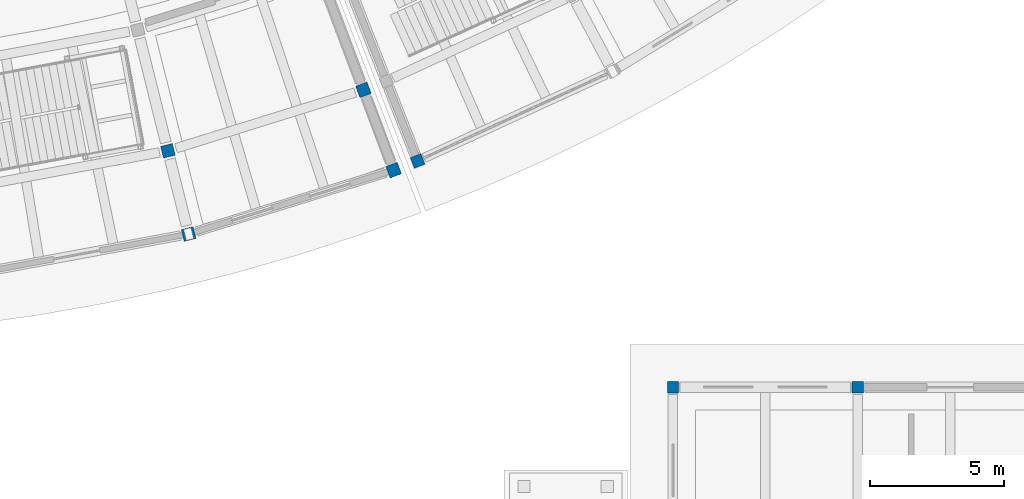
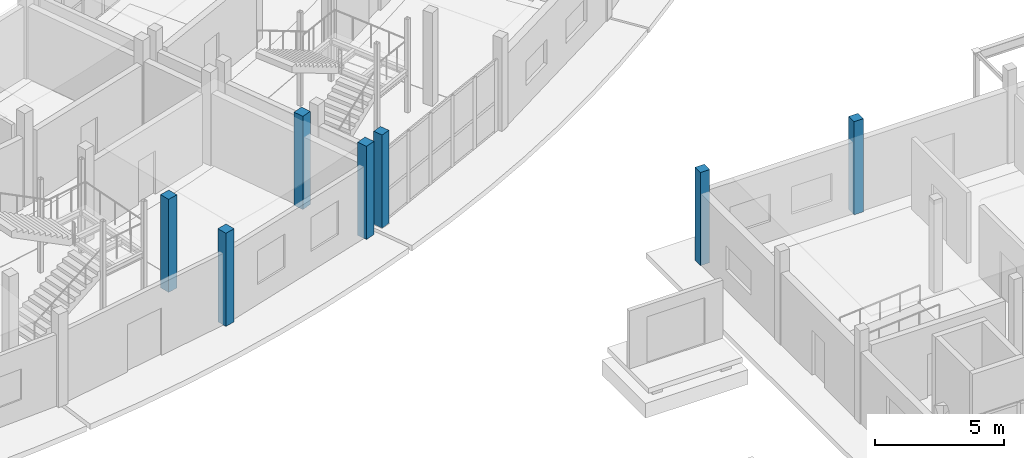
# One storey, part 11 of 92: 7 columns.
"""IFC4 building model written with IfcOpenShell, lengths in metres."""

from ifc_helpers import new_model, si_unit, direction, frame, origin, origin_2d, place, context, subcontext, project, spatial, rectangle, extrude, material, material_profile, profile_set, type_object, element, save


model = new_model("IFC4")

# Units and contexts
model_context = context("Model", 3, precision=1e-05, world=origin(), true_north=direction((0.0, 1.0)))
body_context = subcontext(model_context, "Body", "Model", "MODEL_VIEW")
ifc_project = project(units=[si_unit("LENGTHUNIT", "METRE"), si_unit("AREAUNIT", "SQUARE_METRE"), si_unit("VOLUMEUNIT", "CUBIC_METRE"), si_unit("PLANEANGLEUNIT", "RADIAN"), si_unit("MASSUNIT", "GRAM", prefix="KILO")], contexts=[model_context])

# Site, building, storey
site_placement = place(None, origin())
site = spatial("IfcSite", under=ifc_project, at=site_placement, CompositionType="ELEMENT")
building_placement = place(site_placement, origin())
building = spatial("IfcBuilding", under=site, at=building_placement, Name="Caldaven Crescent School", CompositionType="ELEMENT")
storey_placement = place(building_placement, origin())
storey = spatial("IfcBuildingStorey", under=building, at=storey_placement, Name="L00", CompositionType="ELEMENT", Elevation=0.0)

# Columns
ifc_material = material(Name="Glulam MLE24h (GL28h)", Category="wood")
ifc_material_profile_1 = material_profile(ifc_material, rectangle(XDim=0.419921875, YDim=0.419921875, at=origin_2d()), Name="MLE 420x420")
ifc_profile_set_1 = profile_set([ifc_material_profile_1], Name="Glulam MLE24h (GL28h)")
column_type_1 = type_object("IfcColumnType", Name="COL-GL42", PredefinedType="COLUMN", material=ifc_profile_set_1)
for number, where, z_axis, x_axis, name in (
    (1, (122.89990234375, 22.800048828125, 0.0), (0.0, 0.0, 1.0), (1.0, 0.0, 0.0), "COL-V3-L00-0-3"),
    (2, (129.800048828125, 22.800048828125, 0.0), (0.0, 0.0, 1.0), (1.0, 0.0, 0.0), "COL-V3-L00-1-3"),
    (3, (113.370849609375, 31.24267578125, 0.0), (0.0, 0.0, 1.0), (0.364714278886, -0.931119484694, 0.0), "COL-V4E-L00-00-4"),
):
    element("IfcColumn", number, at=place(storey_placement, frame(where, z_axis=z_axis, x_axis=x_axis)), inside=storey, type_object=column_type_1, Name=name, PredefinedType="COLUMN", context=body_context, shape_type="SweptSolid", body=[
        extrude(rectangle(XDim=0.419921875, YDim=0.419921875, at=origin_2d()), origin(), (0.0, 0.0, 1.0), 4.419921875),
    ])
ifc_material_profile_2 = material_profile(ifc_material, rectangle(XDim=0.449951171875, YDim=0.449951171875, at=origin_2d()), Name="MLE 450x450")
ifc_profile_set_2 = profile_set([ifc_material_profile_2], Name="Glulam MLE24h (GL28h)")
column_type_2 = type_object("IfcColumnType", Name="COL-GL45", PredefinedType="COLUMN", material=ifc_profile_set_2)
for number, where, z_axis, x_axis, name in (
    (4, (104.051513671875, 31.620849609375, 0.0), (0.0, 0.0, 1.0), (0.2419218956, -0.970295726276, 0.0), "COL-V5-L00-05-3"),
    (5, (104.82568359375, 28.515869140625, 0.0), (0.0, 0.0, 1.0), (0.2419218956, -0.970295726276, 0.0), "COL-V5-L00-05-4"),
    (6, (111.3505859375, 33.894775390625, 0.0), (0.0, 0.0, 1.0), (0.352005016254, -0.93599811353, 0.0), "COL-V5-L00-06-3"),
    (7, (112.476806640625, 30.8994140625, 0.0), (0.0, 0.0, 1.0), (0.352005016254, -0.93599811353, 0.0), "COL-V5-L00-06-4"),
):
    element("IfcColumn", number, at=place(storey_placement, frame(where, z_axis=z_axis, x_axis=x_axis)), inside=storey, type_object=column_type_2, Name=name, PredefinedType="COLUMN", context=body_context, shape_type="SweptSolid", body=[
        extrude(rectangle(XDim=0.449951171875, YDim=0.449951171875, at=origin_2d()), origin(), (0.0, 0.0, 1.0), 4.419921875),
    ])

save(model, "model.ifc")
